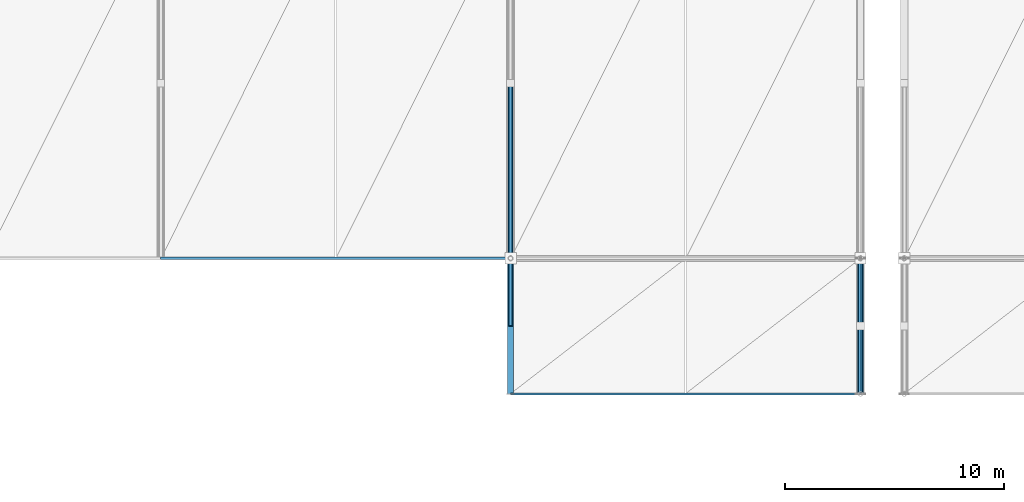
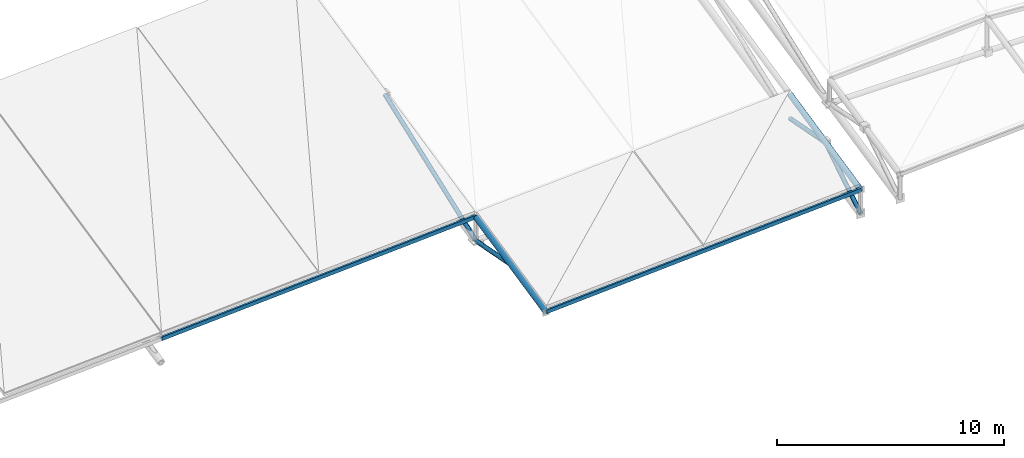
# One storey, part 13 of 67: 8 members.
"""IFC4 building model written with IfcOpenShell, lengths in metres."""

from ifc_helpers import new_model, si_unit, direction, frame, origin, origin_2d, place, context, subcontext, project, spatial, hollow_rectangle, hollow_circle, extrude, material, material_profile, profile_set, type_object, element, save


model = new_model("IFC4")

# Units and contexts
model_context = context("Model", 3, precision=1e-05, world=origin(), true_north=direction((0.0, 1.0)))
body_context = subcontext(model_context, "Body", "Model", "MODEL_VIEW")
ifc_project = project(units=[si_unit("LENGTHUNIT", "METRE"), si_unit("AREAUNIT", "SQUARE_METRE"), si_unit("VOLUMEUNIT", "CUBIC_METRE"), si_unit("PLANEANGLEUNIT", "RADIAN"), si_unit("MASSUNIT", "GRAM", prefix="KILO")], contexts=[model_context])

# Site, building, storey
site_placement = place(None, origin())
site = spatial("IfcSite", under=ifc_project, at=site_placement, CompositionType="ELEMENT")
building_placement = place(site_placement, origin())
building = spatial("IfcBuilding", under=site, at=building_placement, Name="Drelvath Fold Interchange", CompositionType="ELEMENT")
storey_placement = place(building_placement, frame((0.0, 0.0, 15.60009765625)))
storey = spatial("IfcBuildingStorey", under=building, at=storey_placement, Name="L03", CompositionType="ELEMENT", Elevation=15.60009765625)

# Members
ifc_material = material(Name="Steel ASTM A500 Grade C", Category="steel")
ifc_material_profile_1 = material_profile(ifc_material, hollow_rectangle(XDim=0.10205078125, YDim=0.202880859375, WallThickness=0.00732421875, at=origin_2d()), Name="HSS8X4X5/16")
ifc_profile_set_1 = profile_set([ifc_material_profile_1], Name="Steel ASTM A500 Grade C")
member_type_1 = type_object("IfcMemberType", Name="PR-HSS203", PredefinedType="PURLIN", material=ifc_profile_set_1)
for number, where, z_axis, x_axis, name in (
    (1, (68.0, 27.0, 0.393798828125), (0.998196786761, 0.0, 0.06002645167), (0.0, 1.0, 0.0), "L03 Space frame canopy purlin PR-HSS203"),
    (2, (84.0, 20.800048828125, 0.0048828125), (0.998197699277, 0.0, 0.060011275256), (0.0, 1.0, 0.0), "L03 Space frame canopy purlin PR-HSS203"),
):
    element("IfcMember", number, at=place(storey_placement, frame(where, z_axis=z_axis, x_axis=x_axis)), inside=storey, type_object=member_type_1, Name=name, PredefinedType="PURLIN", context=body_context, shape_type="SweptSolid", body=[
        extrude(hollow_rectangle(XDim=0.10205078125, YDim=0.202880859375, WallThickness=0.00732421875, at=origin_2d()), origin(), (0.0, 0.0, 1.0), 16.02880859375),
    ])
ifc_material_profile_2 = material_profile(ifc_material, hollow_circle(Radius=0.136474609375, WallThickness=0.01171875, at=origin_2d()), Name="HSS10.750X0.500")
ifc_profile_set_2 = profile_set([ifc_material_profile_2], Name="Steel ASTM A500 Grade C")
member_type_2 = type_object("IfcMemberType", Name="SF-CHD273", PredefinedType="CHORD", material=ifc_profile_set_2)
member_1_placement = place(storey_placement, frame((84.0, 20.800048828125, -0.027099609375), z_axis=(0.0, 0.977069636285, 0.212919998708), x_axis=(-1.0, 0.0, 0.0)))
element("IfcMember", 3, at=member_1_placement, inside=storey, type_object=member_type_2, Name="L03 Space frame roof truss upper chord SF-CHD273", PredefinedType="CHORD", context=body_context, shape_type="SweptSolid", body=[
    extrude(hollow_circle(Radius=0.136474609375, WallThickness=0.01171875, at=origin_2d()), origin(), (0.0, 0.0, 1.0), 6.345458984375),
])
member_2_placement = place(storey_placement, frame((100.0, 20.800048828125, 0.934814453125), z_axis=(0.0, 0.97703760939, 0.213066913991), x_axis=(-1.0, 0.0, 0.0)))
element("IfcMember", 4, at=member_2_placement, inside=storey, type_object=member_type_2, Name="L03 Space frame roof truss upper chord SF-CHD273", PredefinedType="CHORD", context=body_context, shape_type="SweptSolid", body=[
    extrude(hollow_circle(Radius=0.136474609375, WallThickness=0.01171875, at=origin_2d()), origin(), (0.0, 0.0, 1.0), 6.345703125),
])
ifc_material_profile_3 = material_profile(ifc_material, hollow_circle(Radius=0.109619140625, WallThickness=0.0087890625, at=origin_2d()), Name="HSS8.625X0.375")
ifc_profile_set_3 = profile_set([ifc_material_profile_3], Name="Steel ASTM A500 Grade C")
member_type_3 = type_object("IfcMemberType", Name="SF-WEB219", PredefinedType="BRACE", material=ifc_profile_set_3)
member_3_placement = place(storey_placement, frame((84.0, 23.89990234375, 0.64794921875), z_axis=(0.0, 0.982134211284, -0.188181803123), x_axis=(-1.0, 0.0, 0.0)))
element("IfcMember", 5, at=member_3_placement, inside=storey, type_object=member_type_3, Name="L03 Space frame roof truss web brace SF-WEB219", PredefinedType="BRACE", context=body_context, shape_type="SweptSolid", body=[
    extrude(hollow_circle(Radius=0.109619140625, WallThickness=0.0087890625, at=origin_2d()), origin(), (0.0, 0.0, 1.0), 3.156494140625),
])
member_4_placement = place(storey_placement, frame((84.0, 27.0, 0.053955078125), z_axis=(0.0, 0.935792918381, 0.352550158002), x_axis=(-1.0, 0.0, 0.0)))
element("IfcMember", 6, at=member_4_placement, inside=storey, type_object=member_type_3, Name="L03 Space frame roof truss web brace SF-WEB219", PredefinedType="BRACE", context=body_context, shape_type="SweptSolid", body=[
    extrude(hollow_circle(Radius=0.109619140625, WallThickness=0.0087890625, at=origin_2d()), origin(), (0.0, 0.0, 1.0), 8.548828125),
])
member_5_placement = place(storey_placement, frame((100.0, 20.800048828125, -0.335205078125), z_axis=(0.0, 0.84693609346, 0.531694699612), x_axis=(-1.0, 0.0, 0.0)))
element("IfcMember", 7, at=member_5_placement, inside=storey, type_object=member_type_3, Name="L03 Space frame roof truss web brace SF-WEB219", PredefinedType="BRACE", context=body_context, shape_type="SweptSolid", body=[
    extrude(hollow_circle(Radius=0.109619140625, WallThickness=0.0087890625, at=origin_2d()), origin(), (0.0, 0.0, 1.0), 3.66015625),
])
member_6_placement = place(storey_placement, frame((100.0, 23.89990234375, 1.61083984375), z_axis=(0.0, 0.982134211284, -0.188181803123), x_axis=(-1.0, 0.0, 0.0)))
element("IfcMember", 8, at=member_6_placement, inside=storey, type_object=member_type_3, Name="L03 Space frame roof truss web brace SF-WEB219", PredefinedType="BRACE", context=body_context, shape_type="SweptSolid", body=[
    extrude(hollow_circle(Radius=0.109619140625, WallThickness=0.0087890625, at=origin_2d()), origin(), (0.0, 0.0, 1.0), 3.156494140625),
])

save(model, "model.ifc")
